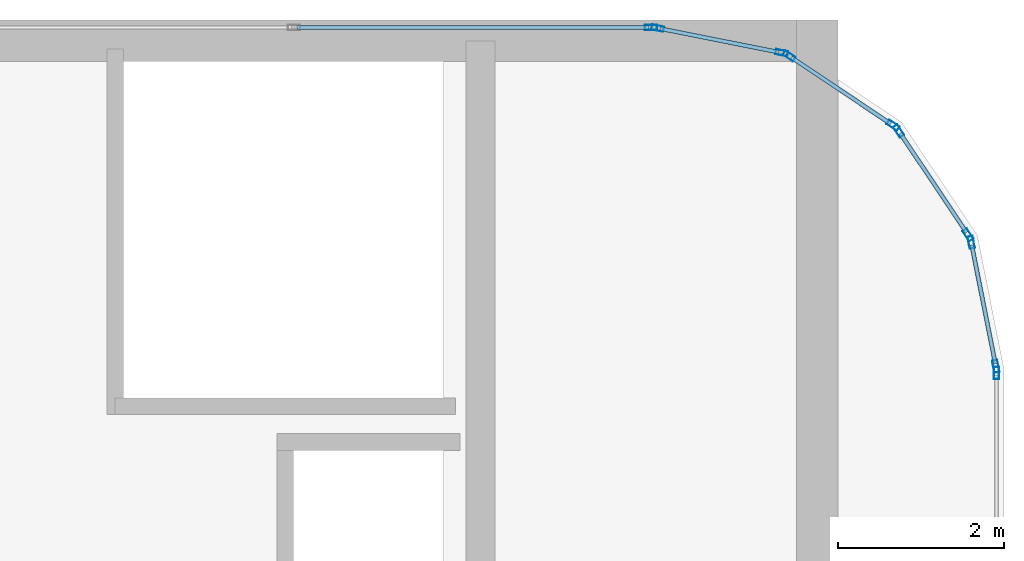
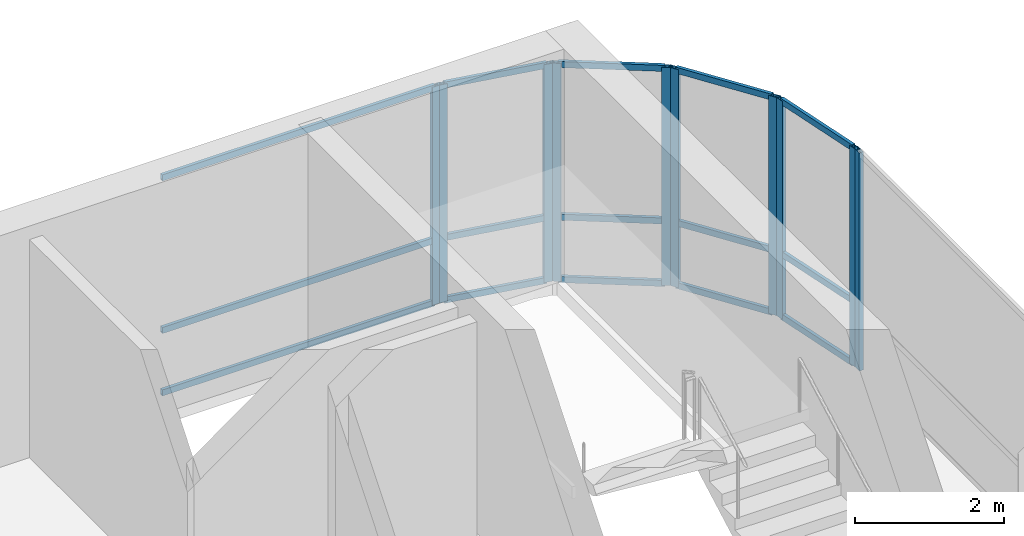
# One storey, part 28 of 36: 25 members, 6 elements without a shape of their own.
"""IFC4 building model written with IfcOpenShell, lengths in metres."""

from ifc_helpers import new_model, si_unit, direction, frame, origin, origin_2d, place, context, subcontext, project, spatial, hollow_rectangle, extrude, source, transform, mapped, material, layer, layer_set, material_profile, profile_set, type_object, type_shapes, element, aggregate, save


model = new_model("IFC4")

# Units and contexts
model_context = context("Model", 3, precision=1e-05, world=origin(), true_north=direction((0.0, 1.0)))
body_context = subcontext(model_context, "Body", "Model", "MODEL_VIEW")
ifc_project = project(units=[si_unit("LENGTHUNIT", "METRE"), si_unit("AREAUNIT", "SQUARE_METRE"), si_unit("VOLUMEUNIT", "CUBIC_METRE"), si_unit("PLANEANGLEUNIT", "RADIAN"), si_unit("MASSUNIT", "GRAM", prefix="KILO")], contexts=[model_context])

# Site, building, storey
site_placement = place(None, origin())
site = spatial("IfcSite", under=ifc_project, at=site_placement, CompositionType="ELEMENT")
building_placement = place(site_placement, origin())
building = spatial("IfcBuilding", under=site, at=building_placement, Name="Tolvann Quenvar Hotel", CompositionType="ELEMENT")
storey_placement = place(building_placement, frame((0.0, 0.0, 306.14990234375)))
storey = spatial("IfcBuildingStorey", under=building, at=storey_placement, Name="L81", CompositionType="ELEMENT", Elevation=306.14990234375)

# Curtain wall, member
ifc_material_1 = material(Name="Thermally broken anodised architectural aluminium 6063-T6 and laminated low-E glass", Category="aluminium")
ifc_layer = layer(ifc_material_1, 0.179931640625)
ifc_layer_set = layer_set([ifc_layer], Name="Thermally broken anodised architectural aluminium 6063-T6 and laminated low-E glass")
curtain_wall_type = type_object("IfcCurtainWallType", Name="CW_SYS_LANT_06", PredefinedType="USERDEFINED", material=ifc_layer_set)
curtain_wall_1_placement = place(storey_placement, origin())
curtain_wall_1 = element("IfcCurtainWall", 1, at=curtain_wall_1_placement, inside=storey, type_object=curtain_wall_type, Name="Curtain Wall CW-LANT-06 (CWR-L81-E09)", ObjectType="UNITISED CURTAIN WALL", PredefinedType="USERDEFINED")
ifc_material_2 = material(Name="Anodised architectural aluminium 6063-T6 framing", Category="aluminium")
ifc_material_profile_1 = material_profile(ifc_material_2, hollow_rectangle(XDim=0.06494140625, YDim=0.14990234375, WallThickness=0.00390625, at=origin_2d()), Name="150x65x4RHS")
ifc_profile_set_1 = profile_set([ifc_material_profile_1], Name="Anodised architectural aluminium 6063-T6 framing")
member_type_1 = type_object("IfcMemberType", Name="CW_MULL_150x65", PredefinedType="MULLION", material=ifc_profile_set_1)
shared_shape_1 = source(origin(), body_context, "Body", "SweptSolid", [
    extrude(hollow_rectangle(XDim=0.06494140625, YDim=0.14990234375, WallThickness=0.00390625, at=origin_2d()), origin(), (0.0, 0.0, 1.0), 3.580078125),
])
type_shapes(member_type_1, [shared_shape_1])
member_1_placement = place(storey_placement, frame((37.909912109375, 39.9501953125, 0.0), z_axis=(0.0, 0.0, 1.0), x_axis=(-1.0, 0.0, 0.0)))
member_1 = element("IfcMember", 2, at=member_1_placement, type_object=member_type_1, Name="CW-LANT-06 mullion 7", PredefinedType="MULLION", context=body_context, shape_type="MappedRepresentation", body=[
    mapped(shared_shape_1, transform((0.0, 0.0, 0.0), x_axis=(1.0, 0.0, 0.0), y_axis=(0.0, 1.0, 0.0), z_axis=(0.0, 0.0, 1.0), scale=1.0)),
])
aggregate(curtain_wall_1, [member_1])

# Curtain wall, members
curtain_wall_2_placement = place(storey_placement, origin())
curtain_wall_2 = element("IfcCurtainWall", 3, at=curtain_wall_2_placement, inside=storey, type_object=curtain_wall_type, Name="Curtain Wall CW-LANT-06 (CWR-L81-E10)", ObjectType="UNITISED CURTAIN WALL", PredefinedType="USERDEFINED")
member_2_placement = place(storey_placement, frame((37.902099609375, 40.03125, 0.0), z_axis=(0.0, 0.0, 1.0), x_axis=(-0.980790999222, -0.195061569369, 0.0)))
member_2 = element("IfcMember", 4, at=member_2_placement, type_object=member_type_1, Name="CW-LANT-06 mullion 1", PredefinedType="MULLION", context=body_context, shape_type="MappedRepresentation", body=[
    mapped(shared_shape_1, transform((0.0, 0.0, 0.0), x_axis=(1.0, 0.0, 0.0), y_axis=(0.0, 1.0, 0.0), z_axis=(0.0, 0.0, 1.0), scale=1.0)),
])
member_3_placement = place(storey_placement, frame((37.605224609375, 41.523681640625, 0.0), z_axis=(0.0, 0.0, 1.0), x_axis=(-0.980790999222, -0.195061569369, 0.0)))
member_3 = element("IfcMember", 5, at=member_3_placement, type_object=member_type_1, Name="CW-LANT-06 mullion 2", PredefinedType="MULLION", context=body_context, shape_type="MappedRepresentation", body=[
    mapped(shared_shape_1, transform((0.0, 0.0, 0.0), x_axis=(1.0, 0.0, 0.0), y_axis=(0.0, 1.0, 0.0), z_axis=(0.0, 0.0, 1.0), scale=1.0)),
])

curtain_wall_3_placement = place(storey_placement, origin())
curtain_wall_3 = element("IfcCurtainWall", 6, at=curtain_wall_3_placement, inside=storey, type_object=curtain_wall_type, Name="Curtain Wall CW-LANT-06 (CWR-L81-E11)", ObjectType="UNITISED CURTAIN WALL", PredefinedType="USERDEFINED")
member_4_placement = place(storey_placement, frame((37.568115234375, 41.61328125, 0.0), z_axis=(0.0, 0.0, 1.0), x_axis=(-0.831412452193, -0.555655769644, 0.0)))
member_4 = element("IfcMember", 7, at=member_4_placement, type_object=member_type_1, Name="CW-LANT-06 mullion 1", PredefinedType="MULLION", context=body_context, shape_type="MappedRepresentation", body=[
    mapped(shared_shape_1, transform((0.0, 0.0, 0.0), x_axis=(1.0, 0.0, 0.0), y_axis=(0.0, 1.0, 0.0), z_axis=(0.0, 0.0, 1.0), scale=1.0)),
])
member_5_placement = place(storey_placement, frame((36.732421875, 42.86376953125, 0.0), z_axis=(0.0, 0.0, 1.0), x_axis=(-0.831412452193, -0.555655769644, 0.0)))
member_5 = element("IfcMember", 8, at=member_5_placement, type_object=member_type_1, Name="CW-LANT-06 mullion 2", PredefinedType="MULLION", context=body_context, shape_type="MappedRepresentation", body=[
    mapped(shared_shape_1, transform((0.0, 0.0, 0.0), x_axis=(1.0, 0.0, 0.0), y_axis=(0.0, 1.0, 0.0), z_axis=(0.0, 0.0, 1.0), scale=1.0)),
])

curtain_wall_4_placement = place(storey_placement, origin())
curtain_wall_4 = element("IfcCurtainWall", 9, at=curtain_wall_4_placement, inside=storey, type_object=curtain_wall_type, Name="Curtain Wall CW-LANT-06 (CWR-L81-E12)", ObjectType="UNITISED CURTAIN WALL", PredefinedType="USERDEFINED")
member_6_placement = place(storey_placement, frame((36.663818359375, 42.932373046875, 0.0), z_axis=(0.0, 0.0, 1.0), x_axis=(-0.555655769644, -0.831412452193, 0.0)))
member_6 = element("IfcMember", 10, at=member_6_placement, type_object=member_type_1, Name="CW-LANT-06 mullion 1", PredefinedType="MULLION", context=body_context, shape_type="MappedRepresentation", body=[
    mapped(shared_shape_1, transform((0.0, 0.0, 0.0), x_axis=(1.0, 0.0, 0.0), y_axis=(0.0, 1.0, 0.0), z_axis=(0.0, 0.0, 1.0), scale=1.0)),
])
member_7_placement = place(storey_placement, frame((35.413330078125, 43.76806640625, 0.0), z_axis=(0.0, 0.0, 1.0), x_axis=(-0.555655769644, -0.831412452193, 0.0)))
member_7 = element("IfcMember", 11, at=member_7_placement, type_object=member_type_1, Name="CW-LANT-06 mullion 2", PredefinedType="MULLION", context=body_context, shape_type="MappedRepresentation", body=[
    mapped(shared_shape_1, transform((0.0, 0.0, 0.0), x_axis=(1.0, 0.0, 0.0), y_axis=(0.0, 1.0, 0.0), z_axis=(0.0, 0.0, 1.0), scale=1.0)),
])

curtain_wall_5_placement = place(storey_placement, origin())
curtain_wall_5 = element("IfcCurtainWall", 12, at=curtain_wall_5_placement, inside=storey, type_object=curtain_wall_type, Name="Curtain Wall CW-LANT-06 (CWR-L81-E13)", ObjectType="UNITISED CURTAIN WALL", PredefinedType="USERDEFINED")
member_8_placement = place(storey_placement, frame((35.32373046875, 43.80517578125, 0.0), z_axis=(0.0, 0.0, 1.0), x_axis=(-0.195061569369, -0.980790999222, 0.0)))
member_8 = element("IfcMember", 13, at=member_8_placement, type_object=member_type_1, Name="CW-LANT-06 mullion 1", PredefinedType="MULLION", context=body_context, shape_type="MappedRepresentation", body=[
    mapped(shared_shape_1, transform((0.0, 0.0, 0.0), x_axis=(1.0, 0.0, 0.0), y_axis=(0.0, 1.0, 0.0), z_axis=(0.0, 0.0, 1.0), scale=1.0)),
])
member_9_placement = place(storey_placement, frame((33.831298828125, 44.10205078125, 0.0), z_axis=(0.0, 0.0, 1.0), x_axis=(-0.195061569369, -0.980790999222, 0.0)))
member_9 = element("IfcMember", 14, at=member_9_placement, type_object=member_type_1, Name="CW-LANT-06 mullion 2", PredefinedType="MULLION", context=body_context, shape_type="MappedRepresentation", body=[
    mapped(shared_shape_1, transform((0.0, 0.0, 0.0), x_axis=(1.0, 0.0, 0.0), y_axis=(0.0, 1.0, 0.0), z_axis=(0.0, 0.0, 1.0), scale=1.0)),
])

# Curtain wall, member
curtain_wall_6_placement = place(storey_placement, origin())
curtain_wall_6 = element("IfcCurtainWall", 15, at=curtain_wall_6_placement, inside=storey, type_object=curtain_wall_type, Name="Curtain Wall CW-LANT-06 (CWR-L81-E14)", ObjectType="UNITISED CURTAIN WALL", PredefinedType="USERDEFINED")
member_10_placement = place(storey_placement, frame((33.750244140625, 44.110107421875, 0.0), z_axis=(0.0, 0.0, 1.0), x_axis=(0.0, -1.0, 0.0)))
member_10 = element("IfcMember", 16, at=member_10_placement, type_object=member_type_1, Name="CW-LANT-06 mullion 1", PredefinedType="MULLION", context=body_context, shape_type="MappedRepresentation", body=[
    mapped(shared_shape_1, transform((0.0, 0.0, 0.0), x_axis=(1.0, 0.0, 0.0), y_axis=(0.0, 1.0, 0.0), z_axis=(0.0, 0.0, 1.0), scale=1.0)),
])

# Member
ifc_material_profile_2 = material_profile(ifc_material_2, hollow_rectangle(XDim=0.050048828125, YDim=0.10009765625, WallThickness=0.0029296875, at=origin_2d()), Name="100x50x3RHS")
ifc_profile_set_2 = profile_set([ifc_material_profile_2], Name="Anodised architectural aluminium 6063-T6 framing")
member_type_2 = type_object("IfcMemberType", Name="CW_TRAN_100x50", PredefinedType="USERDEFINED", material=ifc_profile_set_2)
shared_shape_2 = source(origin(), body_context, "Body", "SweptSolid", [
    extrude(hollow_rectangle(XDim=0.050048828125, YDim=0.10009765625, WallThickness=0.0029296875, at=origin_2d()), origin(), (0.0, 0.0, 1.0), 1.439208984375),
])
member_11_placement = place(storey_placement, frame((37.550048828125, 41.64013671875, 0.025146484375), z_axis=(-0.555600315839, 0.831449510818, 0.0), x_axis=(-0.831449510818, -0.555600315839, 0.0)))
member_11 = element("IfcMember", 17, at=member_11_placement, type_object=member_type_2, Name="CW-LANT-06 transom 1.1", ObjectType="TRANSOM", PredefinedType="USERDEFINED", context=body_context, shape_type="MappedRepresentation", body=[
    mapped(shared_shape_2, transform((0.0, 0.0, 0.0), x_axis=(1.0, 0.0, 0.0), y_axis=(0.0, 1.0, 0.0), z_axis=(0.0, 0.0, 1.0), scale=1.0)),
])

member_12_placement = place(storey_placement, frame((37.550048828125, 41.64013671875, 1.050048828125), z_axis=(-0.555600315839, 0.831449510818, 0.0), x_axis=(-0.831449510818, -0.555600315839, 0.0)))
member_12 = element("IfcMember", 18, at=member_12_placement, type_object=member_type_2, Name="CW-LANT-06 transom 1.2", ObjectType="TRANSOM", PredefinedType="USERDEFINED", context=body_context, shape_type="MappedRepresentation", body=[
    mapped(shared_shape_2, transform((0.0, 0.0, 0.0), x_axis=(1.0, 0.0, 0.0), y_axis=(0.0, 1.0, 0.0), z_axis=(0.0, 0.0, 1.0), scale=1.0)),
])

member_13_placement = place(storey_placement, frame((37.550048828125, 41.64013671875, 3.55517578125), z_axis=(-0.555600315839, 0.831449510818, 0.0), x_axis=(-0.831449510818, -0.555600315839, 0.0)))
member_13 = element("IfcMember", 19, at=member_13_placement, type_object=member_type_2, Name="CW-LANT-06 transom 1.3", ObjectType="TRANSOM", PredefinedType="USERDEFINED", context=body_context, shape_type="MappedRepresentation", body=[
    mapped(shared_shape_2, transform((0.0, 0.0, 0.0), x_axis=(1.0, 0.0, 0.0), y_axis=(0.0, 1.0, 0.0), z_axis=(0.0, 0.0, 1.0), scale=1.0)),
])

aggregate(curtain_wall_3, [member_4, member_5, member_11, member_12, member_13])

member_14_placement = place(storey_placement, frame((36.63671875, 42.950439453125, 0.025146484375), z_axis=(-0.831449510818, 0.555600315839, 0.0), x_axis=(-0.555600315839, -0.831449510818, 0.0)))
member_14 = element("IfcMember", 20, at=member_14_placement, type_object=member_type_2, Name="CW-LANT-06 transom 1.1", ObjectType="TRANSOM", PredefinedType="USERDEFINED", context=body_context, shape_type="MappedRepresentation", body=[
    mapped(shared_shape_2, transform((0.0, 0.0, 0.0), x_axis=(1.0, 0.0, 0.0), y_axis=(0.0, 1.0, 0.0), z_axis=(0.0, 0.0, 1.0), scale=1.0)),
])

member_15_placement = place(storey_placement, frame((36.63671875, 42.950439453125, 1.050048828125), z_axis=(-0.831449510818, 0.555600315839, 0.0), x_axis=(-0.555600315839, -0.831449510818, 0.0)))
member_15 = element("IfcMember", 21, at=member_15_placement, type_object=member_type_2, Name="CW-LANT-06 transom 1.2", ObjectType="TRANSOM", PredefinedType="USERDEFINED", context=body_context, shape_type="MappedRepresentation", body=[
    mapped(shared_shape_2, transform((0.0, 0.0, 0.0), x_axis=(1.0, 0.0, 0.0), y_axis=(0.0, 1.0, 0.0), z_axis=(0.0, 0.0, 1.0), scale=1.0)),
])

member_16_placement = place(storey_placement, frame((36.63671875, 42.950439453125, 3.55517578125), z_axis=(-0.831449510818, 0.555600315839, 0.0), x_axis=(-0.555600315839, -0.831449510818, 0.0)))
member_16 = element("IfcMember", 22, at=member_16_placement, type_object=member_type_2, Name="CW-LANT-06 transom 1.3", ObjectType="TRANSOM", PredefinedType="USERDEFINED", context=body_context, shape_type="MappedRepresentation", body=[
    mapped(shared_shape_2, transform((0.0, 0.0, 0.0), x_axis=(1.0, 0.0, 0.0), y_axis=(0.0, 1.0, 0.0), z_axis=(0.0, 0.0, 1.0), scale=1.0)),
])

aggregate(curtain_wall_4, [member_6, member_7, member_14, member_15, member_16])

shared_shape_3 = source(origin(), body_context, "Body", "SweptSolid", [
    extrude(hollow_rectangle(XDim=0.050048828125, YDim=0.10009765625, WallThickness=0.0029296875, at=origin_2d()), origin(), (0.0, 0.0, 1.0), 1.456787109375),
])
member_17_placement = place(storey_placement, frame((37.895751953125, 40.063232421875, 0.025146484375), z_axis=(-0.195084651288, 0.980786408364, 0.0), x_axis=(-0.980786408364, -0.195084651288, 0.0)))
member_17 = element("IfcMember", 23, at=member_17_placement, type_object=member_type_2, Name="CW-LANT-06 transom 1.1", ObjectType="TRANSOM", PredefinedType="USERDEFINED", context=body_context, shape_type="MappedRepresentation", body=[
    mapped(shared_shape_3, transform((0.0, 0.0, 0.0), x_axis=(1.0, 0.0, 0.0), y_axis=(0.0, 1.0, 0.0), z_axis=(0.0, 0.0, 1.0), scale=1.0)),
])

member_18_placement = place(storey_placement, frame((37.895751953125, 40.063232421875, 1.050048828125), z_axis=(-0.195084651288, 0.980786408364, 0.0), x_axis=(-0.980786408364, -0.195084651288, 0.0)))
member_18 = element("IfcMember", 24, at=member_18_placement, type_object=member_type_2, Name="CW-LANT-06 transom 1.2", ObjectType="TRANSOM", PredefinedType="USERDEFINED", context=body_context, shape_type="MappedRepresentation", body=[
    mapped(shared_shape_3, transform((0.0, 0.0, 0.0), x_axis=(1.0, 0.0, 0.0), y_axis=(0.0, 1.0, 0.0), z_axis=(0.0, 0.0, 1.0), scale=1.0)),
])

member_19_placement = place(storey_placement, frame((37.895751953125, 40.063232421875, 3.55517578125), z_axis=(-0.195084651288, 0.980786408364, 0.0), x_axis=(-0.980786408364, -0.195084651288, 0.0)))
member_19 = element("IfcMember", 25, at=member_19_placement, type_object=member_type_2, Name="CW-LANT-06 transom 1.3", ObjectType="TRANSOM", PredefinedType="USERDEFINED", context=body_context, shape_type="MappedRepresentation", body=[
    mapped(shared_shape_3, transform((0.0, 0.0, 0.0), x_axis=(1.0, 0.0, 0.0), y_axis=(0.0, 1.0, 0.0), z_axis=(0.0, 0.0, 1.0), scale=1.0)),
])

aggregate(curtain_wall_2, [member_2, member_3, member_17, member_18, member_19])

member_20_placement = place(storey_placement, frame((35.291748046875, 43.8115234375, 0.025146484375), z_axis=(-0.980786408364, 0.195084651288, 0.0), x_axis=(-0.195084651288, -0.980786408364, 0.0)))
member_20 = element("IfcMember", 26, at=member_20_placement, type_object=member_type_2, Name="CW-LANT-06 transom 1.1", ObjectType="TRANSOM", PredefinedType="USERDEFINED", context=body_context, shape_type="MappedRepresentation", body=[
    mapped(shared_shape_3, transform((0.0, 0.0, 0.0), x_axis=(1.0, 0.0, 0.0), y_axis=(0.0, 1.0, 0.0), z_axis=(0.0, 0.0, 1.0), scale=1.0)),
])

member_21_placement = place(storey_placement, frame((35.291748046875, 43.8115234375, 1.050048828125), z_axis=(-0.980786408364, 0.195084651288, 0.0), x_axis=(-0.195084651288, -0.980786408364, 0.0)))
member_21 = element("IfcMember", 27, at=member_21_placement, type_object=member_type_2, Name="CW-LANT-06 transom 1.2", ObjectType="TRANSOM", PredefinedType="USERDEFINED", context=body_context, shape_type="MappedRepresentation", body=[
    mapped(shared_shape_3, transform((0.0, 0.0, 0.0), x_axis=(1.0, 0.0, 0.0), y_axis=(0.0, 1.0, 0.0), z_axis=(0.0, 0.0, 1.0), scale=1.0)),
])

member_22_placement = place(storey_placement, frame((35.291748046875, 43.8115234375, 3.55517578125), z_axis=(-0.980786408364, 0.195084651288, 0.0), x_axis=(-0.195084651288, -0.980786408364, 0.0)))
member_22 = element("IfcMember", 28, at=member_22_placement, type_object=member_type_2, Name="CW-LANT-06 transom 1.3", ObjectType="TRANSOM", PredefinedType="USERDEFINED", context=body_context, shape_type="MappedRepresentation", body=[
    mapped(shared_shape_3, transform((0.0, 0.0, 0.0), x_axis=(1.0, 0.0, 0.0), y_axis=(0.0, 1.0, 0.0), z_axis=(0.0, 0.0, 1.0), scale=1.0)),
])

aggregate(curtain_wall_5, [member_8, member_9, member_20, member_21, member_22])

shared_shape_4 = source(origin(), body_context, "Body", "SweptSolid", [
    extrude(hollow_rectangle(XDim=0.050048828125, YDim=0.10009765625, WallThickness=0.0029296875, at=origin_2d()), origin(), (0.0, 0.0, 1.0), 4.22998046875),
])
type_shapes(member_type_2, [shared_shape_2, shared_shape_3, shared_shape_4])
member_23_placement = place(storey_placement, frame((33.7177734375, 44.110107421875, 0.025146484375), z_axis=(-1.0, 0.0, 0.0), x_axis=(0.0, -1.0, 0.0)))
member_23 = element("IfcMember", 29, at=member_23_placement, type_object=member_type_2, Name="CW-LANT-06 transom 1.1", ObjectType="TRANSOM", PredefinedType="USERDEFINED", context=body_context, shape_type="MappedRepresentation", body=[
    mapped(shared_shape_4, transform((0.0, 0.0, 0.0), x_axis=(1.0, 0.0, 0.0), y_axis=(0.0, 1.0, 0.0), z_axis=(0.0, 0.0, 1.0), scale=1.0)),
])

member_24_placement = place(storey_placement, frame((33.7177734375, 44.110107421875, 1.050048828125), z_axis=(-1.0, 0.0, 0.0), x_axis=(0.0, -1.0, 0.0)))
member_24 = element("IfcMember", 30, at=member_24_placement, type_object=member_type_2, Name="CW-LANT-06 transom 1.2", ObjectType="TRANSOM", PredefinedType="USERDEFINED", context=body_context, shape_type="MappedRepresentation", body=[
    mapped(shared_shape_4, transform((0.0, 0.0, 0.0), x_axis=(1.0, 0.0, 0.0), y_axis=(0.0, 1.0, 0.0), z_axis=(0.0, 0.0, 1.0), scale=1.0)),
])

member_25_placement = place(storey_placement, frame((33.7177734375, 44.110107421875, 3.55517578125), z_axis=(-1.0, 0.0, 0.0), x_axis=(0.0, -1.0, 0.0)))
member_25 = element("IfcMember", 31, at=member_25_placement, type_object=member_type_2, Name="CW-LANT-06 transom 1.3", ObjectType="TRANSOM", PredefinedType="USERDEFINED", context=body_context, shape_type="MappedRepresentation", body=[
    mapped(shared_shape_4, transform((0.0, 0.0, 0.0), x_axis=(1.0, 0.0, 0.0), y_axis=(0.0, 1.0, 0.0), z_axis=(0.0, 0.0, 1.0), scale=1.0)),
])

aggregate(curtain_wall_6, [member_10, member_23, member_24, member_25])

save(model, "model.ifc")
